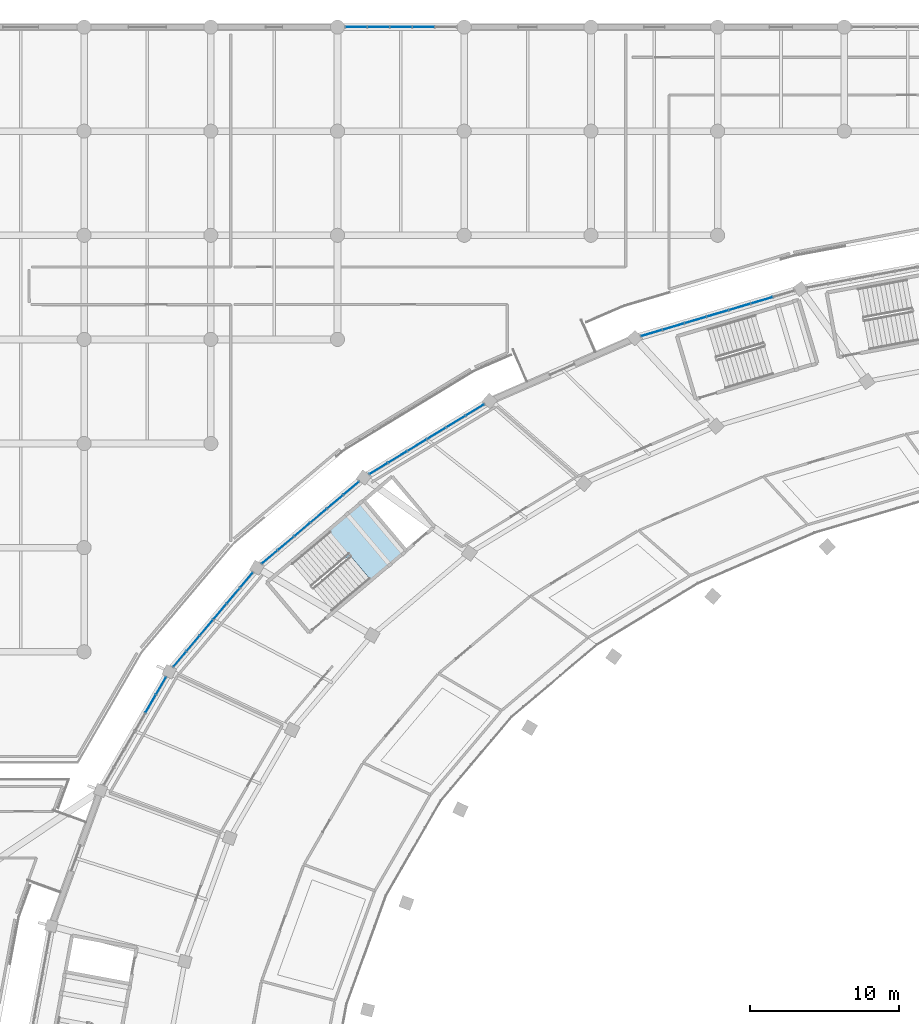
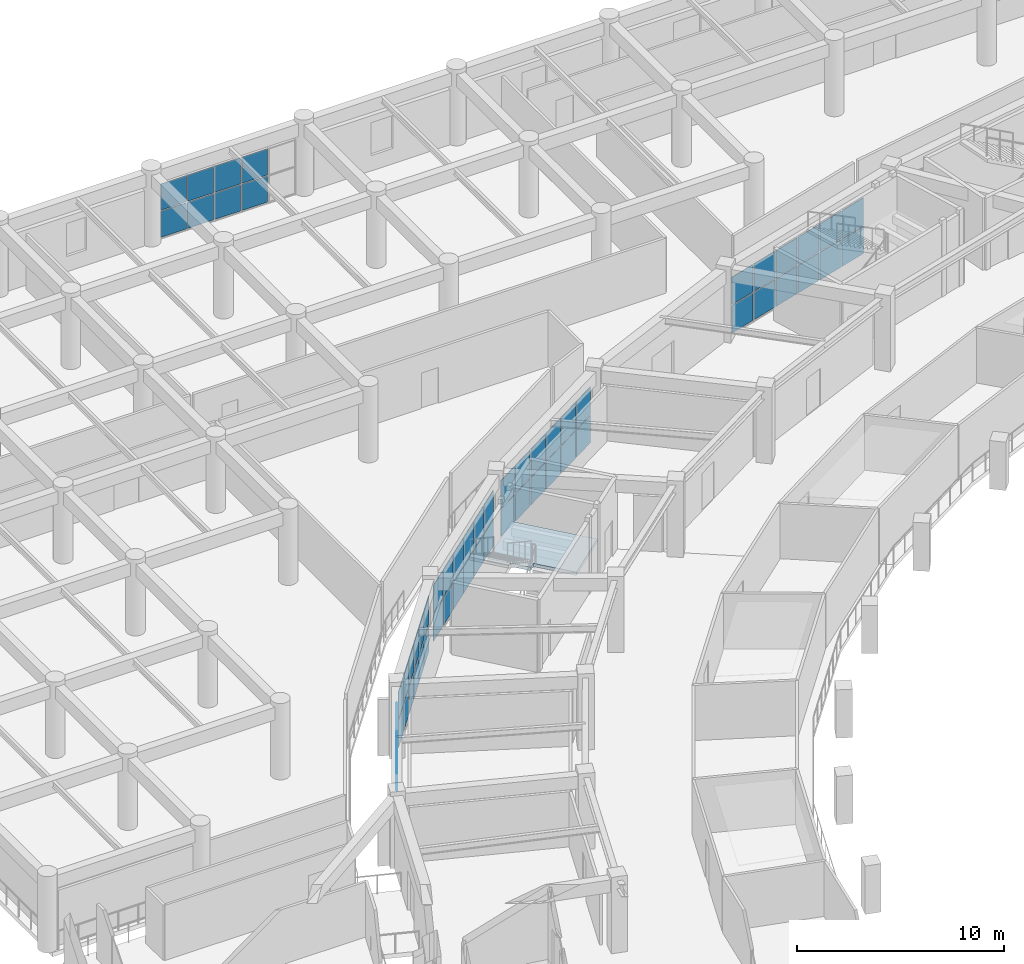
# One storey, part 82 of 141: 60 plates, 1 slab, 7 elements without a shape of their own.
"""IFC4 building model written with IfcOpenShell, lengths in metres."""

from ifc_helpers import new_model, si_unit, direction, frame, origin, origin_2d, place, context, subcontext, project, spatial, polyline, rectangle, outline, extrude, material, layer, layer_set, type_object, element, aggregate, save


model = new_model("IFC4")

# Units and contexts
model_context = context("Model", 3, precision=1e-05, world=origin(), true_north=direction((0.0, 1.0)))
body_context = subcontext(model_context, "Body", "Model", "MODEL_VIEW")
ifc_project = project(units=[si_unit("LENGTHUNIT", "METRE"), si_unit("AREAUNIT", "SQUARE_METRE"), si_unit("VOLUMEUNIT", "CUBIC_METRE"), si_unit("PLANEANGLEUNIT", "RADIAN"), si_unit("MASSUNIT", "GRAM", prefix="KILO")], contexts=[model_context])

# Site, building, storey
site_placement = place(None, origin())
site = spatial("IfcSite", under=ifc_project, at=site_placement, CompositionType="ELEMENT")
building_placement = place(site_placement, origin())
building = spatial("IfcBuilding", under=site, at=building_placement, Name="Mphavela Belvedere Stadium", CompositionType="ELEMENT")
storey_placement = place(building_placement, frame((0.0, 0.0, 14.699951171875)))
storey = spatial("IfcBuildingStorey", under=building, at=storey_placement, Name="L03", CompositionType="ELEMENT", Elevation=14.699951171875)

# Curtain wall, plates
ifc_material_1 = material(Name="Anodised bronze unitised curtain wall framing")
ifc_layer_1 = layer(ifc_material_1, 0.18505859375)
ifc_layer_set_1 = layer_set([ifc_layer_1], Name="Anodised bronze unitised curtain wall framing")
curtain_wall_type_1 = type_object("IfcCurtainWallType", Name="CW-UNIT-02", PredefinedType="USERDEFINED", material=ifc_layer_set_1)
curtain_wall_1_placement = place(storey_placement, origin())
curtain_wall_1 = element("IfcCurtainWall", 1, at=curtain_wall_1_placement, inside=storey, type_object=curtain_wall_type_1, Name="Belvedere colonnade curtain wall L03-16", ObjectType="UNITISED CURTAIN WALL", PredefinedType="USERDEFINED")
ifc_material_2 = material(Name="Solar-control double glazing", Category="glass")
ifc_layer_2 = layer(ifc_material_2, 0.031982421875)
ifc_layer_set_2 = layer_set([ifc_layer_2], Name="Solar-control double glazing")
plate_type = type_object("IfcPlateType", Name="CWP-SOLAR-GLASS", PredefinedType="CURTAIN_PANEL", material=ifc_layer_set_2)
plate_1_placement = place(storey_placement, frame((62.608154296875, 155.6279296875, 0.06005859375), z_axis=(0.0, 0.0, 1.0), x_axis=(-0.958656747975, -0.284565000591, 0.0)))
plate_1 = element("IfcPlate", 2, at=plate_1_placement, type_object=plate_type, Name="CW-02 panel 2.1", PredefinedType="CURTAIN_PANEL", context=body_context, shape_type="SweptSolid", body=[
    extrude(rectangle(XDim=1.488037109375, YDim=0.031982421875, at=origin_2d()), origin(), (0.0, 0.0, 1.0), 1.6201171875),
])
plate_2_placement = place(storey_placement, frame((62.608154296875, 155.6279296875, 1.739990234375), z_axis=(0.0, 0.0, 1.0), x_axis=(-0.958656747975, -0.284565000591, 0.0)))
plate_2 = element("IfcPlate", 3, at=plate_2_placement, type_object=plate_type, Name="CW-02 panel 2.2", PredefinedType="CURTAIN_PANEL", context=body_context, shape_type="SweptSolid", body=[
    extrude(rectangle(XDim=1.488037109375, YDim=0.031982421875, at=origin_2d()), origin(), (0.0, 0.0, 1.0), 1.6201171875),
])
plate_3_placement = place(storey_placement, frame((61.119384765625, 155.18603515625, 0.06005859375), z_axis=(0.0, 0.0, 1.0), x_axis=(-0.958656747975, -0.284565000591, 0.0)))
plate_3 = element("IfcPlate", 4, at=plate_3_placement, type_object=plate_type, Name="CW-02 panel 3.1", PredefinedType="CURTAIN_PANEL", context=body_context, shape_type="SweptSolid", body=[
    extrude(rectangle(XDim=1.488037109375, YDim=0.031982421875, at=origin_2d()), origin(), (0.0, 0.0, 1.0), 1.6201171875),
])
plate_4_placement = place(storey_placement, frame((61.119384765625, 155.18603515625, 1.739990234375), z_axis=(0.0, 0.0, 1.0), x_axis=(-0.958656747975, -0.284565000591, 0.0)))
plate_4 = element("IfcPlate", 5, at=plate_4_placement, type_object=plate_type, Name="CW-02 panel 3.2", PredefinedType="CURTAIN_PANEL", context=body_context, shape_type="SweptSolid", body=[
    extrude(rectangle(XDim=1.488037109375, YDim=0.031982421875, at=origin_2d()), origin(), (0.0, 0.0, 1.0), 1.6201171875),
])
plate_5_placement = place(storey_placement, frame((59.630615234375, 154.744140625, 0.06005859375), z_axis=(0.0, 0.0, 1.0), x_axis=(-0.958656747975, -0.284565000591, 0.0)))
plate_5 = element("IfcPlate", 6, at=plate_5_placement, type_object=plate_type, Name="CW-02 panel 4.1", PredefinedType="CURTAIN_PANEL", context=body_context, shape_type="SweptSolid", body=[
    extrude(rectangle(XDim=1.488037109375, YDim=0.031982421875, at=origin_2d()), origin(), (0.0, 0.0, 1.0), 1.6201171875),
])
plate_6_placement = place(storey_placement, frame((59.630615234375, 154.744140625, 1.739990234375), z_axis=(0.0, 0.0, 1.0), x_axis=(-0.958656747975, -0.284565000591, 0.0)))
plate_6 = element("IfcPlate", 7, at=plate_6_placement, type_object=plate_type, Name="CW-02 panel 4.2", PredefinedType="CURTAIN_PANEL", context=body_context, shape_type="SweptSolid", body=[
    extrude(rectangle(XDim=1.488037109375, YDim=0.031982421875, at=origin_2d()), origin(), (0.0, 0.0, 1.0), 1.6201171875),
])
plate_7_placement = place(storey_placement, frame((58.141845703125, 154.30224609375, 0.06005859375), z_axis=(0.0, 0.0, 1.0), x_axis=(-0.958656747975, -0.284565000591, 0.0)))
plate_7 = element("IfcPlate", 8, at=plate_7_placement, type_object=plate_type, Name="CW-02 panel 5.1", PredefinedType="CURTAIN_PANEL", context=body_context, shape_type="SweptSolid", body=[
    extrude(rectangle(XDim=1.488037109375, YDim=0.031982421875, at=origin_2d()), origin(), (0.0, 0.0, 1.0), 1.6201171875),
])
plate_8_placement = place(storey_placement, frame((58.141845703125, 154.30224609375, 1.739990234375), z_axis=(0.0, 0.0, 1.0), x_axis=(-0.958656747975, -0.284565000591, 0.0)))
plate_8 = element("IfcPlate", 9, at=plate_8_placement, type_object=plate_type, Name="CW-02 panel 5.2", PredefinedType="CURTAIN_PANEL", context=body_context, shape_type="SweptSolid", body=[
    extrude(rectangle(XDim=1.488037109375, YDim=0.031982421875, at=origin_2d()), origin(), (0.0, 0.0, 1.0), 1.6201171875),
])
plate_9_placement = place(storey_placement, frame((56.653076171875, 153.8603515625, 0.06005859375), z_axis=(0.0, 0.0, 1.0), x_axis=(-0.958656747975, -0.284565000591, 0.0)))
plate_9 = element("IfcPlate", 10, at=plate_9_placement, type_object=plate_type, Name="CW-02 panel 6.1", PredefinedType="CURTAIN_PANEL", context=body_context, shape_type="SweptSolid", body=[
    extrude(rectangle(XDim=1.488037109375, YDim=0.031982421875, at=origin_2d()), origin(), (0.0, 0.0, 1.0), 1.6201171875),
])
plate_10_placement = place(storey_placement, frame((56.653076171875, 153.8603515625, 1.739990234375), z_axis=(0.0, 0.0, 1.0), x_axis=(-0.958656747975, -0.284565000591, 0.0)))
plate_10 = element("IfcPlate", 11, at=plate_10_placement, type_object=plate_type, Name="CW-02 panel 6.2", PredefinedType="CURTAIN_PANEL", context=body_context, shape_type="SweptSolid", body=[
    extrude(rectangle(XDim=1.488037109375, YDim=0.031982421875, at=origin_2d()), origin(), (0.0, 0.0, 1.0), 1.6201171875),
])
plate_11_placement = place(storey_placement, frame((55.179931640625, 153.423095703125, 0.06005859375), z_axis=(0.0, 0.0, 1.0), x_axis=(-0.958656747975, -0.284565000591, 0.0)))
plate_11 = element("IfcPlate", 12, at=plate_11_placement, type_object=plate_type, Name="CW-02 panel 7.1", PredefinedType="CURTAIN_PANEL", context=body_context, shape_type="SweptSolid", body=[
    extrude(rectangle(XDim=1.45556640625, YDim=0.031982421875, at=origin_2d()), origin(), (0.0, 0.0, 1.0), 1.6201171875),
])
plate_12_placement = place(storey_placement, frame((55.179931640625, 153.423095703125, 1.739990234375), z_axis=(0.0, 0.0, 1.0), x_axis=(-0.958656747975, -0.284565000591, 0.0)))
plate_12 = element("IfcPlate", 13, at=plate_12_placement, type_object=plate_type, Name="CW-02 panel 7.2", PredefinedType="CURTAIN_PANEL", context=body_context, shape_type="SweptSolid", body=[
    extrude(rectangle(XDim=1.45556640625, YDim=0.031982421875, at=origin_2d()), origin(), (0.0, 0.0, 1.0), 1.6201171875),
])
aggregate(curtain_wall_1, [plate_1, plate_2, plate_3, plate_4, plate_5, plate_6, plate_7, plate_8, plate_9, plate_10, plate_11, plate_12])

ifc_material_3 = material(Name="Anodised bronze unitised curtain wall framing")
ifc_layer_3 = layer(ifc_material_3, 0.18994140625)
ifc_layer_set_3 = layer_set([ifc_layer_3], Name="Anodised bronze unitised curtain wall framing")
curtain_wall_type_2 = type_object("IfcCurtainWallType", Name="CW-UNIT-03", PredefinedType="USERDEFINED", material=ifc_layer_set_3)
curtain_wall_2_placement = place(storey_placement, origin())
curtain_wall_2 = element("IfcCurtainWall", 14, at=curtain_wall_2_placement, inside=storey, type_object=curtain_wall_type_2, Name="Belvedere colonnade curtain wall L03-18", ObjectType="UNITISED CURTAIN WALL", PredefinedType="USERDEFINED")
plate_13_placement = place(storey_placement, frame((43.3193359375, 148.261962890625, 0.06005859375), z_axis=(0.0, 0.0, 1.0), x_axis=(-0.8543254975, -0.519738342169, 0.0)))
plate_13 = element("IfcPlate", 15, at=plate_13_placement, type_object=plate_type, Name="CW-03 panel 1.1", PredefinedType="CURTAIN_PANEL", context=body_context, shape_type="SweptSolid", body=[
    extrude(rectangle(XDim=1.428466796875, YDim=0.031982421875, at=origin_2d()), origin(), (0.0, 0.0, 1.0), 1.6201171875),
])
plate_14_placement = place(storey_placement, frame((43.3193359375, 148.261962890625, 1.739990234375), z_axis=(0.0, 0.0, 1.0), x_axis=(-0.8543254975, -0.519738342169, 0.0)))
plate_14 = element("IfcPlate", 16, at=plate_14_placement, type_object=plate_type, Name="CW-03 panel 1.2", PredefinedType="CURTAIN_PANEL", context=body_context, shape_type="SweptSolid", body=[
    extrude(rectangle(XDim=1.428466796875, YDim=0.031982421875, at=origin_2d()), origin(), (0.0, 0.0, 1.0), 1.6201171875),
])
plate_15_placement = place(storey_placement, frame((42.029541015625, 147.477294921875, 0.06005859375), z_axis=(0.0, 0.0, 1.0), x_axis=(-0.8543254975, -0.519738342169, 0.0)))
plate_15 = element("IfcPlate", 17, at=plate_15_placement, type_object=plate_type, Name="CW-03 panel 2.1", PredefinedType="CURTAIN_PANEL", context=body_context, shape_type="SweptSolid", body=[
    extrude(rectangle(XDim=1.4609375, YDim=0.031982421875, at=origin_2d()), origin(), (0.0, 0.0, 1.0), 1.6201171875),
])
plate_16_placement = place(storey_placement, frame((42.029541015625, 147.477294921875, 1.739990234375), z_axis=(0.0, 0.0, 1.0), x_axis=(-0.8543254975, -0.519738342169, 0.0)))
plate_16 = element("IfcPlate", 18, at=plate_16_placement, type_object=plate_type, Name="CW-03 panel 2.2", PredefinedType="CURTAIN_PANEL", context=body_context, shape_type="SweptSolid", body=[
    extrude(rectangle(XDim=1.4609375, YDim=0.031982421875, at=origin_2d()), origin(), (0.0, 0.0, 1.0), 1.6201171875),
])
plate_17_placement = place(storey_placement, frame((40.725830078125, 146.684326171875, 0.06005859375), z_axis=(0.0, 0.0, 1.0), x_axis=(-0.8543254975, -0.519738342169, 0.0)))
plate_17 = element("IfcPlate", 19, at=plate_17_placement, type_object=plate_type, Name="CW-03 panel 3.1", PredefinedType="CURTAIN_PANEL", context=body_context, shape_type="SweptSolid", body=[
    extrude(rectangle(XDim=1.4609375, YDim=0.031982421875, at=origin_2d()), origin(), (0.0, 0.0, 1.0), 1.6201171875),
])
plate_18_placement = place(storey_placement, frame((40.725830078125, 146.684326171875, 1.739990234375), z_axis=(0.0, 0.0, 1.0), x_axis=(-0.8543254975, -0.519738342169, 0.0)))
plate_18 = element("IfcPlate", 20, at=plate_18_placement, type_object=plate_type, Name="CW-03 panel 3.2", PredefinedType="CURTAIN_PANEL", context=body_context, shape_type="SweptSolid", body=[
    extrude(rectangle(XDim=1.4609375, YDim=0.031982421875, at=origin_2d()), origin(), (0.0, 0.0, 1.0), 1.6201171875),
])
plate_19_placement = place(storey_placement, frame((39.42236328125, 145.89111328125, 0.06005859375), z_axis=(0.0, 0.0, 1.0), x_axis=(-0.8543254975, -0.519738342169, 0.0)))
plate_19 = element("IfcPlate", 21, at=plate_19_placement, type_object=plate_type, Name="CW-03 panel 4.1", PredefinedType="CURTAIN_PANEL", context=body_context, shape_type="SweptSolid", body=[
    extrude(rectangle(XDim=1.4609375, YDim=0.031982421875, at=origin_2d()), origin(), (0.0, 0.0, 1.0), 1.6201171875),
])
plate_20_placement = place(storey_placement, frame((39.42236328125, 145.89111328125, 1.739990234375), z_axis=(0.0, 0.0, 1.0), x_axis=(-0.8543254975, -0.519738342169, 0.0)))
plate_20 = element("IfcPlate", 22, at=plate_20_placement, type_object=plate_type, Name="CW-03 panel 4.2", PredefinedType="CURTAIN_PANEL", context=body_context, shape_type="SweptSolid", body=[
    extrude(rectangle(XDim=1.4609375, YDim=0.031982421875, at=origin_2d()), origin(), (0.0, 0.0, 1.0), 1.6201171875),
])
plate_21_placement = place(storey_placement, frame((38.11865234375, 145.09814453125, 0.06005859375), z_axis=(0.0, 0.0, 1.0), x_axis=(-0.8543254975, -0.519738342169, 0.0)))
plate_21 = element("IfcPlate", 23, at=plate_21_placement, type_object=plate_type, Name="CW-03 panel 5.1", PredefinedType="CURTAIN_PANEL", context=body_context, shape_type="SweptSolid", body=[
    extrude(rectangle(XDim=1.4609375, YDim=0.031982421875, at=origin_2d()), origin(), (0.0, 0.0, 1.0), 1.6201171875),
])
plate_22_placement = place(storey_placement, frame((38.11865234375, 145.09814453125, 1.739990234375), z_axis=(0.0, 0.0, 1.0), x_axis=(-0.8543254975, -0.519738342169, 0.0)))
plate_22 = element("IfcPlate", 24, at=plate_22_placement, type_object=plate_type, Name="CW-03 panel 5.2", PredefinedType="CURTAIN_PANEL", context=body_context, shape_type="SweptSolid", body=[
    extrude(rectangle(XDim=1.4609375, YDim=0.031982421875, at=origin_2d()), origin(), (0.0, 0.0, 1.0), 1.6201171875),
])
plate_23_placement = place(storey_placement, frame((36.828857421875, 144.3134765625, 0.06005859375), z_axis=(0.0, 0.0, 1.0), x_axis=(-0.8543254975, -0.519738342169, 0.0)))
plate_23 = element("IfcPlate", 25, at=plate_23_placement, type_object=plate_type, Name="CW-03 panel 6.1", PredefinedType="CURTAIN_PANEL", context=body_context, shape_type="SweptSolid", body=[
    extrude(rectangle(XDim=1.428466796875, YDim=0.031982421875, at=origin_2d()), origin(), (0.0, 0.0, 1.0), 1.6201171875),
])
plate_24_placement = place(storey_placement, frame((36.828857421875, 144.3134765625, 1.739990234375), z_axis=(0.0, 0.0, 1.0), x_axis=(-0.8543254975, -0.519738342169, 0.0)))
plate_24 = element("IfcPlate", 26, at=plate_24_placement, type_object=plate_type, Name="CW-03 panel 6.2", PredefinedType="CURTAIN_PANEL", context=body_context, shape_type="SweptSolid", body=[
    extrude(rectangle(XDim=1.428466796875, YDim=0.031982421875, at=origin_2d()), origin(), (0.0, 0.0, 1.0), 1.6201171875),
])
aggregate(curtain_wall_2, [plate_13, plate_14, plate_15, plate_16, plate_17, plate_18, plate_19, plate_20, plate_21, plate_22, plate_23, plate_24])

ifc_material_4 = material(Name="Anodised bronze unitised curtain wall framing")
ifc_layer_4 = layer(ifc_material_4, 0.195068359375)
ifc_layer_set_4 = layer_set([ifc_layer_4], Name="Anodised bronze unitised curtain wall framing")
curtain_wall_type_3 = type_object("IfcCurtainWallType", Name="CW-UNIT-04", PredefinedType="USERDEFINED", material=ifc_layer_set_4)
curtain_wall_3_placement = place(storey_placement, origin())
curtain_wall_3 = element("IfcCurtainWall", 27, at=curtain_wall_3_placement, inside=storey, type_object=curtain_wall_type_3, Name="Belvedere colonnade curtain wall L03-19", ObjectType="UNITISED CURTAIN WALL", PredefinedType="USERDEFINED")
plate_25_placement = place(storey_placement, frame((34.995849609375, 142.99853515625, 0.06005859375), z_axis=(0.0, 0.0, 1.0), x_axis=(-0.764262822183, -0.644904906656, 0.0)))
plate_25 = element("IfcPlate", 28, at=plate_25_placement, type_object=plate_type, Name="CW-04 panel 1.1", PredefinedType="CURTAIN_PANEL", context=body_context, shape_type="SweptSolid", body=[
    extrude(rectangle(XDim=1.344482421875, YDim=0.031982421875, at=origin_2d()), origin(), (0.0, 0.0, 1.0), 1.6201171875),
])
plate_26_placement = place(storey_placement, frame((34.995849609375, 142.99853515625, 1.739990234375), z_axis=(0.0, 0.0, 1.0), x_axis=(-0.764262822183, -0.644904906656, 0.0)))
plate_26 = element("IfcPlate", 29, at=plate_26_placement, type_object=plate_type, Name="CW-04 panel 1.2", PredefinedType="CURTAIN_PANEL", context=body_context, shape_type="SweptSolid", body=[
    extrude(rectangle(XDim=1.344482421875, YDim=0.031982421875, at=origin_2d()), origin(), (0.0, 0.0, 1.0), 1.6201171875),
])
plate_27_placement = place(storey_placement, frame((33.90625, 142.078857421875, 0.06005859375), z_axis=(0.0, 0.0, 1.0), x_axis=(-0.764262822183, -0.644904906656, 0.0)))
plate_27 = element("IfcPlate", 30, at=plate_27_placement, type_object=plate_type, Name="CW-04 panel 2.1", PredefinedType="CURTAIN_PANEL", context=body_context, shape_type="SweptSolid", body=[
    extrude(rectangle(XDim=1.376953125, YDim=0.031982421875, at=origin_2d()), origin(), (0.0, 0.0, 1.0), 1.6201171875),
])
plate_28_placement = place(storey_placement, frame((33.90625, 142.078857421875, 1.739990234375), z_axis=(0.0, 0.0, 1.0), x_axis=(-0.764262822183, -0.644904906656, 0.0)))
plate_28 = element("IfcPlate", 31, at=plate_28_placement, type_object=plate_type, Name="CW-04 panel 2.2", PredefinedType="CURTAIN_PANEL", context=body_context, shape_type="SweptSolid", body=[
    extrude(rectangle(XDim=1.376953125, YDim=0.031982421875, at=origin_2d()), origin(), (0.0, 0.0, 1.0), 1.6201171875),
])
plate_29_placement = place(storey_placement, frame((32.80419921875, 141.14892578125, 0.06005859375), z_axis=(0.0, 0.0, 1.0), x_axis=(-0.764262822183, -0.644904906656, 0.0)))
plate_29 = element("IfcPlate", 32, at=plate_29_placement, type_object=plate_type, Name="CW-04 panel 3.1", PredefinedType="CURTAIN_PANEL", context=body_context, shape_type="SweptSolid", body=[
    extrude(rectangle(XDim=1.376953125, YDim=0.031982421875, at=origin_2d()), origin(), (0.0, 0.0, 1.0), 1.6201171875),
])
plate_30_placement = place(storey_placement, frame((32.80419921875, 141.14892578125, 1.739990234375), z_axis=(0.0, 0.0, 1.0), x_axis=(-0.764262822183, -0.644904906656, 0.0)))
plate_30 = element("IfcPlate", 33, at=plate_30_placement, type_object=plate_type, Name="CW-04 panel 3.2", PredefinedType="CURTAIN_PANEL", context=body_context, shape_type="SweptSolid", body=[
    extrude(rectangle(XDim=1.376953125, YDim=0.031982421875, at=origin_2d()), origin(), (0.0, 0.0, 1.0), 1.6201171875),
])
plate_31_placement = place(storey_placement, frame((31.701904296875, 140.218994140625, 0.06005859375), z_axis=(0.0, 0.0, 1.0), x_axis=(-0.764262822183, -0.644904906656, 0.0)))
plate_31 = element("IfcPlate", 34, at=plate_31_placement, type_object=plate_type, Name="CW-04 panel 4.1", PredefinedType="CURTAIN_PANEL", context=body_context, shape_type="SweptSolid", body=[
    extrude(rectangle(XDim=1.376953125, YDim=0.031982421875, at=origin_2d()), origin(), (0.0, 0.0, 1.0), 1.6201171875),
])
plate_32_placement = place(storey_placement, frame((31.701904296875, 140.218994140625, 1.739990234375), z_axis=(0.0, 0.0, 1.0), x_axis=(-0.764262822183, -0.644904906656, 0.0)))
plate_32 = element("IfcPlate", 35, at=plate_32_placement, type_object=plate_type, Name="CW-04 panel 4.2", PredefinedType="CURTAIN_PANEL", context=body_context, shape_type="SweptSolid", body=[
    extrude(rectangle(XDim=1.376953125, YDim=0.031982421875, at=origin_2d()), origin(), (0.0, 0.0, 1.0), 1.6201171875),
])
plate_33_placement = place(storey_placement, frame((30.599853515625, 139.2890625, 0.06005859375), z_axis=(0.0, 0.0, 1.0), x_axis=(-0.764262822183, -0.644904906656, 0.0)))
plate_33 = element("IfcPlate", 36, at=plate_33_placement, type_object=plate_type, Name="CW-04 panel 5.1", PredefinedType="CURTAIN_PANEL", context=body_context, shape_type="SweptSolid", body=[
    extrude(rectangle(XDim=1.376953125, YDim=0.031982421875, at=origin_2d()), origin(), (0.0, 0.0, 1.0), 1.6201171875),
])
plate_34_placement = place(storey_placement, frame((30.599853515625, 139.2890625, 1.739990234375), z_axis=(0.0, 0.0, 1.0), x_axis=(-0.764262822183, -0.644904906656, 0.0)))
plate_34 = element("IfcPlate", 37, at=plate_34_placement, type_object=plate_type, Name="CW-04 panel 5.2", PredefinedType="CURTAIN_PANEL", context=body_context, shape_type="SweptSolid", body=[
    extrude(rectangle(XDim=1.376953125, YDim=0.031982421875, at=origin_2d()), origin(), (0.0, 0.0, 1.0), 1.6201171875),
])
plate_35_placement = place(storey_placement, frame((29.51025390625, 138.36962890625, 0.06005859375), z_axis=(0.0, 0.0, 1.0), x_axis=(-0.764262822183, -0.644904906656, 0.0)))
plate_35 = element("IfcPlate", 38, at=plate_35_placement, type_object=plate_type, Name="CW-04 panel 6.1", PredefinedType="CURTAIN_PANEL", context=body_context, shape_type="SweptSolid", body=[
    extrude(rectangle(XDim=1.344482421875, YDim=0.031982421875, at=origin_2d()), origin(), (0.0, 0.0, 1.0), 1.6201171875),
])
plate_36_placement = place(storey_placement, frame((29.51025390625, 138.36962890625, 1.739990234375), z_axis=(0.0, 0.0, 1.0), x_axis=(-0.764262822183, -0.644904906656, 0.0)))
plate_36 = element("IfcPlate", 39, at=plate_36_placement, type_object=plate_type, Name="CW-04 panel 6.2", PredefinedType="CURTAIN_PANEL", context=body_context, shape_type="SweptSolid", body=[
    extrude(rectangle(XDim=1.344482421875, YDim=0.031982421875, at=origin_2d()), origin(), (0.0, 0.0, 1.0), 1.6201171875),
])
aggregate(curtain_wall_3, [plate_25, plate_26, plate_27, plate_28, plate_29, plate_30, plate_31, plate_32, plate_33, plate_34, plate_35, plate_36])

ifc_material_5 = material(Name="Anodised bronze unitised curtain wall framing")
ifc_layer_5 = layer(ifc_material_5, 0.199951171875)
ifc_layer_set_5 = layer_set([ifc_layer_5], Name="Anodised bronze unitised curtain wall framing")
curtain_wall_type_4 = type_object("IfcCurtainWallType", Name="CW-UNIT-05", PredefinedType="USERDEFINED", material=ifc_layer_set_5)
curtain_wall_4_placement = place(storey_placement, origin())
curtain_wall_4 = element("IfcCurtainWall", 40, at=curtain_wall_4_placement, inside=storey, type_object=curtain_wall_type_4, Name="Belvedere colonnade curtain wall L03-20", ObjectType="UNITISED CURTAIN WALL", PredefinedType="USERDEFINED")
plate_37_placement = place(storey_placement, frame((27.958740234375, 136.82080078125, 0.06005859375), z_axis=(0.0, 0.0, 1.0), x_axis=(-0.645179274532, -0.76403121907, 0.0)))
plate_37 = element("IfcPlate", 41, at=plate_37_placement, type_object=plate_type, Name="CW-05 panel 1.1", PredefinedType="CURTAIN_PANEL", context=body_context, shape_type="SweptSolid", body=[
    extrude(rectangle(XDim=1.303466796875, YDim=0.031982421875, at=origin_2d()), origin(), (0.0, 0.0, 1.0), 1.6201171875),
])
plate_38_placement = place(storey_placement, frame((27.958740234375, 136.82080078125, 1.739990234375), z_axis=(0.0, 0.0, 1.0), x_axis=(-0.645179274532, -0.76403121907, 0.0)))
plate_38 = element("IfcPlate", 42, at=plate_38_placement, type_object=plate_type, Name="CW-05 panel 1.2", PredefinedType="CURTAIN_PANEL", context=body_context, shape_type="SweptSolid", body=[
    extrude(rectangle(XDim=1.303466796875, YDim=0.031982421875, at=origin_2d()), origin(), (0.0, 0.0, 1.0), 1.6201171875),
])
plate_39_placement = place(storey_placement, frame((27.0654296875, 135.762939453125, 0.06005859375), z_axis=(0.0, 0.0, 1.0), x_axis=(-0.645179274532, -0.76403121907, 0.0)))
plate_39 = element("IfcPlate", 43, at=plate_39_placement, type_object=plate_type, Name="CW-05 panel 2.1", PredefinedType="CURTAIN_PANEL", context=body_context, shape_type="SweptSolid", body=[
    extrude(rectangle(XDim=1.3359375, YDim=0.031982421875, at=origin_2d()), origin(), (0.0, 0.0, 1.0), 1.6201171875),
])
plate_40_placement = place(storey_placement, frame((27.0654296875, 135.762939453125, 1.739990234375), z_axis=(0.0, 0.0, 1.0), x_axis=(-0.645179274532, -0.76403121907, 0.0)))
plate_40 = element("IfcPlate", 44, at=plate_40_placement, type_object=plate_type, Name="CW-05 panel 2.2", PredefinedType="CURTAIN_PANEL", context=body_context, shape_type="SweptSolid", body=[
    extrude(rectangle(XDim=1.3359375, YDim=0.031982421875, at=origin_2d()), origin(), (0.0, 0.0, 1.0), 1.6201171875),
])
plate_41_placement = place(storey_placement, frame((26.16162109375, 134.692626953125, 0.06005859375), z_axis=(0.0, 0.0, 1.0), x_axis=(-0.645179274532, -0.76403121907, 0.0)))
plate_41 = element("IfcPlate", 45, at=plate_41_placement, type_object=plate_type, Name="CW-05 panel 3.1", PredefinedType="CURTAIN_PANEL", context=body_context, shape_type="SweptSolid", body=[
    extrude(rectangle(XDim=1.3359375, YDim=0.031982421875, at=origin_2d()), origin(), (0.0, 0.0, 1.0), 1.6201171875),
])
plate_42_placement = place(storey_placement, frame((26.16162109375, 134.692626953125, 1.739990234375), z_axis=(0.0, 0.0, 1.0), x_axis=(-0.645179274532, -0.76403121907, 0.0)))
plate_42 = element("IfcPlate", 46, at=plate_42_placement, type_object=plate_type, Name="CW-05 panel 3.2", PredefinedType="CURTAIN_PANEL", context=body_context, shape_type="SweptSolid", body=[
    extrude(rectangle(XDim=1.3359375, YDim=0.031982421875, at=origin_2d()), origin(), (0.0, 0.0, 1.0), 1.6201171875),
])
plate_43_placement = place(storey_placement, frame((25.257568359375, 133.622314453125, 0.06005859375), z_axis=(0.0, 0.0, 1.0), x_axis=(-0.645179274532, -0.76403121907, 0.0)))
plate_43 = element("IfcPlate", 47, at=plate_43_placement, type_object=plate_type, Name="CW-05 panel 4.1", PredefinedType="CURTAIN_PANEL", context=body_context, shape_type="SweptSolid", body=[
    extrude(rectangle(XDim=1.3359375, YDim=0.031982421875, at=origin_2d()), origin(), (0.0, 0.0, 1.0), 1.6201171875),
])
plate_44_placement = place(storey_placement, frame((25.257568359375, 133.622314453125, 1.739990234375), z_axis=(0.0, 0.0, 1.0), x_axis=(-0.645179274532, -0.76403121907, 0.0)))
plate_44 = element("IfcPlate", 48, at=plate_44_placement, type_object=plate_type, Name="CW-05 panel 4.2", PredefinedType="CURTAIN_PANEL", context=body_context, shape_type="SweptSolid", body=[
    extrude(rectangle(XDim=1.3359375, YDim=0.031982421875, at=origin_2d()), origin(), (0.0, 0.0, 1.0), 1.6201171875),
])
plate_45_placement = place(storey_placement, frame((24.353759765625, 132.552001953125, 0.06005859375), z_axis=(0.0, 0.0, 1.0), x_axis=(-0.645179274532, -0.76403121907, 0.0)))
plate_45 = element("IfcPlate", 49, at=plate_45_placement, type_object=plate_type, Name="CW-05 panel 5.1", PredefinedType="CURTAIN_PANEL", context=body_context, shape_type="SweptSolid", body=[
    extrude(rectangle(XDim=1.3359375, YDim=0.031982421875, at=origin_2d()), origin(), (0.0, 0.0, 1.0), 1.6201171875),
])
plate_46_placement = place(storey_placement, frame((24.353759765625, 132.552001953125, 1.739990234375), z_axis=(0.0, 0.0, 1.0), x_axis=(-0.645179274532, -0.76403121907, 0.0)))
plate_46 = element("IfcPlate", 50, at=plate_46_placement, type_object=plate_type, Name="CW-05 panel 5.2", PredefinedType="CURTAIN_PANEL", context=body_context, shape_type="SweptSolid", body=[
    extrude(rectangle(XDim=1.3359375, YDim=0.031982421875, at=origin_2d()), origin(), (0.0, 0.0, 1.0), 1.6201171875),
])
plate_47_placement = place(storey_placement, frame((23.46044921875, 131.494140625, 0.06005859375), z_axis=(0.0, 0.0, 1.0), x_axis=(-0.645179274532, -0.76403121907, 0.0)))
plate_47 = element("IfcPlate", 51, at=plate_47_placement, type_object=plate_type, Name="CW-05 panel 6.1", PredefinedType="CURTAIN_PANEL", context=body_context, shape_type="SweptSolid", body=[
    extrude(rectangle(XDim=1.303466796875, YDim=0.031982421875, at=origin_2d()), origin(), (0.0, 0.0, 1.0), 1.6201171875),
])
plate_48_placement = place(storey_placement, frame((23.46044921875, 131.494140625, 1.739990234375), z_axis=(0.0, 0.0, 1.0), x_axis=(-0.645179274532, -0.76403121907, 0.0)))
plate_48 = element("IfcPlate", 52, at=plate_48_placement, type_object=plate_type, Name="CW-05 panel 6.2", PredefinedType="CURTAIN_PANEL", context=body_context, shape_type="SweptSolid", body=[
    extrude(rectangle(XDim=1.303466796875, YDim=0.031982421875, at=origin_2d()), origin(), (0.0, 0.0, 1.0), 1.6201171875),
])
aggregate(curtain_wall_4, [plate_37, plate_38, plate_39, plate_40, plate_41, plate_42, plate_43, plate_44, plate_45, plate_46, plate_47, plate_48])

ifc_material_6 = material(Name="Anodised bronze unitised curtain wall framing")
ifc_layer_6 = layer(ifc_material_6, 0.205078125)
ifc_layer_set_6 = layer_set([ifc_layer_6], Name="Anodised bronze unitised curtain wall framing")
curtain_wall_type_5 = type_object("IfcCurtainWallType", Name="CW-UNIT-06", PredefinedType="USERDEFINED", material=ifc_layer_set_6)
curtain_wall_5_placement = place(storey_placement, origin())
curtain_wall_5 = element("IfcCurtainWall", 53, at=curtain_wall_5_placement, inside=storey, type_object=curtain_wall_type_5, Name="Belvedere colonnade curtain wall L03-21", ObjectType="UNITISED CURTAIN WALL", PredefinedType="USERDEFINED")
plate_49_placement = place(storey_placement, frame((22.209228515625, 129.71337890625, 0.06005859375), z_axis=(0.0, 0.0, 1.0), x_axis=(-0.50055409961, -0.865705257789, 0.0)))
plate_49 = element("IfcPlate", 54, at=plate_49_placement, type_object=plate_type, Name="CW-06 panel 1.1", PredefinedType="CURTAIN_PANEL", context=body_context, shape_type="SweptSolid", body=[
    extrude(rectangle(XDim=1.314453125, YDim=0.031982421875, at=origin_2d()), origin(), (0.0, 0.0, 1.0), 1.6201171875),
])
plate_50_placement = place(storey_placement, frame((22.209228515625, 129.71337890625, 1.739990234375), z_axis=(0.0, 0.0, 1.0), x_axis=(-0.50055409961, -0.865705257789, 0.0)))
plate_50 = element("IfcPlate", 55, at=plate_50_placement, type_object=plate_type, Name="CW-06 panel 1.2", PredefinedType="CURTAIN_PANEL", context=body_context, shape_type="SweptSolid", body=[
    extrude(rectangle(XDim=1.314453125, YDim=0.031982421875, at=origin_2d()), origin(), (0.0, 0.0, 1.0), 1.6201171875),
])
plate_51_placement = place(storey_placement, frame((21.5107421875, 128.50537109375, 0.06005859375), z_axis=(0.0, 0.0, 1.0), x_axis=(-0.50055409961, -0.865705257789, 0.0)))
plate_51 = element("IfcPlate", 56, at=plate_51_placement, type_object=plate_type, Name="CW-06 panel 2.1", PredefinedType="CURTAIN_PANEL", context=body_context, shape_type="SweptSolid", body=[
    extrude(rectangle(XDim=1.346923828125, YDim=0.031982421875, at=origin_2d()), origin(), (0.0, 0.0, 1.0), 1.6201171875),
])
plate_52_placement = place(storey_placement, frame((21.5107421875, 128.50537109375, 1.739990234375), z_axis=(0.0, 0.0, 1.0), x_axis=(-0.50055409961, -0.865705257789, 0.0)))
plate_52 = element("IfcPlate", 57, at=plate_52_placement, type_object=plate_type, Name="CW-06 panel 2.2", PredefinedType="CURTAIN_PANEL", context=body_context, shape_type="SweptSolid", body=[
    extrude(rectangle(XDim=1.346923828125, YDim=0.031982421875, at=origin_2d()), origin(), (0.0, 0.0, 1.0), 1.6201171875),
])
aggregate(curtain_wall_5, [plate_49, plate_50, plate_51, plate_52])

ifc_material_7 = material(Name="Anodised bronze unitised curtain wall framing")
ifc_layer_7 = layer(ifc_material_7, 0.179931640625)
ifc_layer_set_7 = layer_set([ifc_layer_7], Name="Anodised bronze unitised curtain wall framing")
curtain_wall_type_6 = type_object("IfcCurtainWallType", Name="CW-UNIT-01", PredefinedType="USERDEFINED", material=ifc_layer_set_7)
curtain_wall_6_placement = place(storey_placement, origin())
curtain_wall_6 = element("IfcCurtainWall", 58, at=curtain_wall_6_placement, inside=storey, type_object=curtain_wall_type_6, Name="North Mast and Ceremonial End Forecourt gallery curtain wall L03-05", ObjectType="UNITISED CURTAIN WALL", PredefinedType="USERDEFINED")
plate_53_placement = place(storey_placement, frame((35.320556640625, 174.0, 0.06005859375), z_axis=(0.0, 0.0, 1.0), x_axis=(1.0, 0.0, 0.0)))
plate_53 = element("IfcPlate", 59, at=plate_53_placement, type_object=plate_type, Name="CW-01 panel 1.1", PredefinedType="CURTAIN_PANEL", context=body_context, shape_type="SweptSolid", body=[
    extrude(rectangle(XDim=1.4169921875, YDim=0.031982421875, at=origin_2d()), origin(), (0.0, 0.0, 1.0), 1.5400390625),
])
plate_54_placement = place(storey_placement, frame((35.320556640625, 174.0, 1.659912109375), z_axis=(0.0, 0.0, 1.0), x_axis=(1.0, 0.0, 0.0)))
plate_54 = element("IfcPlate", 60, at=plate_54_placement, type_object=plate_type, Name="CW-01 panel 1.2", PredefinedType="CURTAIN_PANEL", context=body_context, shape_type="SweptSolid", body=[
    extrude(rectangle(XDim=1.4169921875, YDim=0.031982421875, at=origin_2d()), origin(), (0.0, 0.0, 1.0), 1.5400390625),
])
plate_55_placement = place(storey_placement, frame((36.81884765625, 174.0, 0.06005859375), z_axis=(0.0, 0.0, 1.0), x_axis=(1.0, 0.0, 0.0)))
plate_55 = element("IfcPlate", 61, at=plate_55_placement, type_object=plate_type, Name="CW-01 panel 2.1", PredefinedType="CURTAIN_PANEL", context=body_context, shape_type="SweptSolid", body=[
    extrude(rectangle(XDim=1.44970703125, YDim=0.031982421875, at=origin_2d()), origin(), (0.0, 0.0, 1.0), 1.5400390625),
])
plate_56_placement = place(storey_placement, frame((36.81884765625, 174.0, 1.659912109375), z_axis=(0.0, 0.0, 1.0), x_axis=(1.0, 0.0, 0.0)))
plate_56 = element("IfcPlate", 62, at=plate_56_placement, type_object=plate_type, Name="CW-01 panel 2.2", PredefinedType="CURTAIN_PANEL", context=body_context, shape_type="SweptSolid", body=[
    extrude(rectangle(XDim=1.44970703125, YDim=0.031982421875, at=origin_2d()), origin(), (0.0, 0.0, 1.0), 1.5400390625),
])
plate_57_placement = place(storey_placement, frame((38.33349609375, 174.0, 0.06005859375), z_axis=(0.0, 0.0, 1.0), x_axis=(1.0, 0.0, 0.0)))
plate_57 = element("IfcPlate", 63, at=plate_57_placement, type_object=plate_type, Name="CW-01 panel 3.1", PredefinedType="CURTAIN_PANEL", context=body_context, shape_type="SweptSolid", body=[
    extrude(rectangle(XDim=1.44970703125, YDim=0.031982421875, at=origin_2d()), origin(), (0.0, 0.0, 1.0), 1.5400390625),
])
plate_58_placement = place(storey_placement, frame((38.33349609375, 174.0, 1.659912109375), z_axis=(0.0, 0.0, 1.0), x_axis=(1.0, 0.0, 0.0)))
plate_58 = element("IfcPlate", 64, at=plate_58_placement, type_object=plate_type, Name="CW-01 panel 3.2", PredefinedType="CURTAIN_PANEL", context=body_context, shape_type="SweptSolid", body=[
    extrude(rectangle(XDim=1.44970703125, YDim=0.031982421875, at=origin_2d()), origin(), (0.0, 0.0, 1.0), 1.5400390625),
])
plate_59_placement = place(storey_placement, frame((39.84814453125, 174.0, 0.06005859375), z_axis=(0.0, 0.0, 1.0), x_axis=(1.0, 0.0, 0.0)))
plate_59 = element("IfcPlate", 65, at=plate_59_placement, type_object=plate_type, Name="CW-01 panel 4.1", PredefinedType="CURTAIN_PANEL", context=body_context, shape_type="SweptSolid", body=[
    extrude(rectangle(XDim=1.44970703125, YDim=0.031982421875, at=origin_2d()), origin(), (0.0, 0.0, 1.0), 1.5400390625),
])
plate_60_placement = place(storey_placement, frame((39.84814453125, 174.0, 1.659912109375), z_axis=(0.0, 0.0, 1.0), x_axis=(1.0, 0.0, 0.0)))
plate_60 = element("IfcPlate", 66, at=plate_60_placement, type_object=plate_type, Name="CW-01 panel 4.2", PredefinedType="CURTAIN_PANEL", context=body_context, shape_type="SweptSolid", body=[
    extrude(rectangle(XDim=1.44970703125, YDim=0.031982421875, at=origin_2d()), origin(), (0.0, 0.0, 1.0), 1.5400390625),
])
aggregate(curtain_wall_6, [plate_53, plate_54, plate_55, plate_56, plate_57, plate_58, plate_59, plate_60])

# Stair, slab
ifc_material_8 = material(Name="Concrete C40/50", Category="concrete")
stair_type = type_object("IfcStairType", Name="STR-HALF-TURN-2", PredefinedType="HALF_TURN_STAIR", material=ifc_material_8)
stair_placement = place(storey_placement, origin())
stair = element("IfcStair", 67, at=stair_placement, inside=storey, type_object=stair_type, Name="L03 Escape stair core C05", PredefinedType="HALF_TURN_STAIR")
ifc_material_9 = material(Name="Concrete C40/50", Category="concrete")
ifc_layer_8 = layer(ifc_material_9, 0.199951171875)
ifc_layer_set_8 = layer_set([ifc_layer_8], Name="Concrete C40/50")
slab_type = type_object("IfcSlabType", Name="SLB-LANDING-200", PredefinedType="LANDING", material=ifc_layer_set_8)
slab_placement = place(storey_placement, frame((0.0, 0.0, 2.050048828125)))
slab = element("IfcSlab", 68, at=slab_placement, type_object=slab_type, Name="ST-C05 landing 1", PredefinedType="LANDING", context=body_context, shape_type="SweptSolid", body=[
    extrude(outline(polyline([(36.331787109375, 136.80078125), (38.611572265625, 138.724609375), (35.754638671875, 142.1103515625), (33.20361328125, 139.95751953125), (34.632080078125, 138.2646484375), (34.9033203125, 138.49365234375), (36.331787109375, 136.80078125)])), origin(), (0.0, 0.0, 1.0), 0.199951171875),
])
aggregate(stair, [slab])

save(model, "model.ifc")
